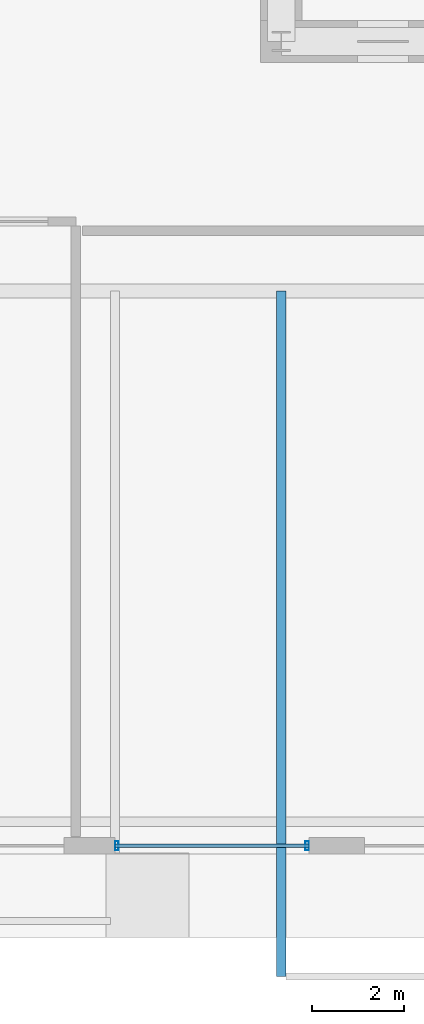
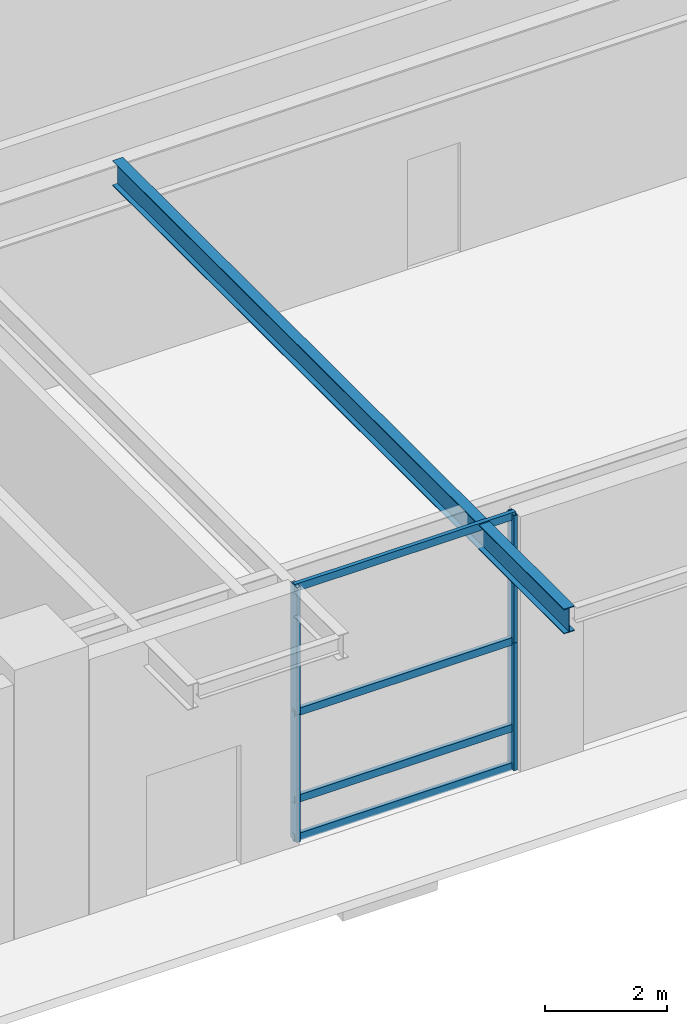
# One storey, part 4 of 32: 8 members, 1 beam, 1 element without a shape of its own.
"""IFC4 building model written with IfcOpenShell, lengths in metres."""

from ifc_helpers import new_model, si_unit, direction, frame, origin, origin_2d, place, context, subcontext, project, spatial, hollow_rectangle, i_section, extrude, source, transform, mapped, material, layer, layer_set, material_profile, profile_set, type_object, element, aggregate, save


model = new_model("IFC4")

# Units and contexts
model_context = context("Model", 3, precision=1e-05, world=origin(), true_north=direction((0.0, 1.0)))
body_context = subcontext(model_context, "Body", "Model", "MODEL_VIEW")
ifc_project = project(units=[si_unit("LENGTHUNIT", "METRE"), si_unit("AREAUNIT", "SQUARE_METRE"), si_unit("VOLUMEUNIT", "CUBIC_METRE"), si_unit("PLANEANGLEUNIT", "RADIAN"), si_unit("MASSUNIT", "GRAM", prefix="KILO"), si_unit("THERMODYNAMICTEMPERATUREUNIT", "KELVIN"), si_unit("POWERUNIT", "WATT")], contexts=[model_context])

# Site, building, storey
site_placement = place(None, origin())
site = spatial("IfcSite", under=ifc_project, at=site_placement, CompositionType="ELEMENT")
building_placement = place(site_placement, origin())
building = spatial("IfcBuilding", under=site, at=building_placement, Name="Yuzanri Waterfront Tower", CompositionType="ELEMENT")
storey_placement = place(building_placement, origin())
storey = spatial("IfcBuildingStorey", under=building, at=storey_placement, Name="L01", CompositionType="ELEMENT", Elevation=0.0)

# Beam
ifc_material_1 = material(Name="Steel Q355B", Category="steel")
ifc_material_profile_1 = material_profile(ifc_material_1, i_section(OverallWidth=0.199951171875, OverallDepth=0.5, WebThickness=0.010009765625, FlangeThickness=0.01611328125, at=origin_2d()), Name="HN 500x200x10x16")
ifc_profile_set_1 = profile_set([ifc_material_profile_1], Name="Steel Q355B")
beam_type = type_object("IfcBeamType", Name="Secondary Floor Beam Q355B HN 500x200", PredefinedType="BEAM", material=ifc_profile_set_1)
shared_shape_1 = source(origin(), body_context, "Body", "SweptSolid", [
    extrude(i_section(OverallWidth=0.199951171875, OverallDepth=0.5, WebThickness=0.010009765625, FlangeThickness=0.01611328125, at=origin_2d()), origin(), (0.0, 0.0, 1.0), 14.85009765625),
])
beam_placement = place(storey_placement, frame((23.800048828125, 14.0, 4.8701171875), z_axis=(0.0, -1.0, 0.0), x_axis=(1.0, 0.0, 0.0)))
element("IfcBeam", 1, at=beam_placement, inside=storey, type_object=beam_type, Name="L01 Canopy S1 Left Outlooker", PredefinedType="BEAM", context=body_context, shape_type="MappedRepresentation", body=[
    mapped(shared_shape_1, transform((0.0, 0.0, 0.0), scale=1.0)),
])

# Curtain wall, members
ifc_material_2 = material(Name="Anodized Architectural Bronze", Category="metal")
ifc_layer = layer(ifc_material_2, 0.159912109375)
ifc_layer_set = layer_set([ifc_layer], Name="Anodized Architectural Bronze")
curtain_wall_type = type_object("IfcCurtainWallType", Name="Anodized Bronze Podium Waterfront Double-Height Unitized Curtain Wall 8400", PredefinedType="NOTDEFINED", material=ifc_layer_set)
curtain_wall_placement = place(storey_placement, origin())
curtain_wall = element("IfcCurtainWall", 2, at=curtain_wall_placement, inside=storey, type_object=curtain_wall_type, Name="L01 Curtain Wall CW-L01-S1", PredefinedType="NOTDEFINED")
ifc_material_3 = material(Name="Anodized Architectural Bronze", Category="metal")
ifc_material_profile_2 = material_profile(ifc_material_3, hollow_rectangle(XDim=0.074951171875, YDim=0.199951171875, WallThickness=0.00390625, at=origin_2d()), Name="CWM 75x200")
ifc_profile_set_2 = profile_set([ifc_material_profile_2], Name="Anodized Architectural Bronze")
member_type_1 = type_object("IfcMemberType", Name="Anodized Bronze Primary Curtain-Wall Mullion 75x200", PredefinedType="MULLION", material=ifc_profile_set_2)
shared_shape_2 = source(origin(), body_context, "Body", "SweptSolid", [
    extrude(hollow_rectangle(XDim=0.074951171875, YDim=0.199951171875, WallThickness=0.00390625, at=origin_2d()), origin(), (0.0, 0.0, 1.0), 2.55810546875),
])
member_1_placement = place(storey_placement, frame((20.239990234375, 1.97998046875, 0.0), z_axis=(0.0, 0.0, 1.0), x_axis=(1.0, 0.0, 0.0)))
member_1 = element("IfcMember", 3, at=member_1_placement, type_object=member_type_1, Name="CW-L01-S1 Lower Mullion 00", PredefinedType="MULLION", context=body_context, shape_type="MappedRepresentation", body=[
    mapped(shared_shape_2, transform((0.0, 0.0, 0.0), scale=1.0)),
])
member_2_placement = place(storey_placement, frame((20.239990234375, 1.97998046875, 2.56201171875), z_axis=(0.0, 0.0, 1.0), x_axis=(1.0, 0.0, 0.0)))
member_2 = element("IfcMember", 4, at=member_2_placement, type_object=member_type_1, Name="CW-L01-S1 Upper Mullion 00", PredefinedType="MULLION", context=body_context, shape_type="MappedRepresentation", body=[
    mapped(shared_shape_2, transform((0.0, 0.0, 0.0), scale=1.0)),
])
member_3_placement = place(storey_placement, frame((24.360107421875, 1.97998046875, 0.0), z_axis=(0.0, 0.0, 1.0), x_axis=(1.0, 0.0, 0.0)))
member_3 = element("IfcMember", 5, at=member_3_placement, type_object=member_type_1, Name="CW-L01-S1 Lower Mullion 01", PredefinedType="MULLION", context=body_context, shape_type="MappedRepresentation", body=[
    mapped(shared_shape_2, transform((0.0, 0.0, 0.0), scale=1.0)),
])
member_4_placement = place(storey_placement, frame((24.360107421875, 1.97998046875, 2.56201171875), z_axis=(0.0, 0.0, 1.0), x_axis=(1.0, 0.0, 0.0)))
member_4 = element("IfcMember", 6, at=member_4_placement, type_object=member_type_1, Name="CW-L01-S1 Upper Mullion 01", PredefinedType="MULLION", context=body_context, shape_type="MappedRepresentation", body=[
    mapped(shared_shape_2, transform((0.0, 0.0, 0.0), scale=1.0)),
])
ifc_material_4 = material(Name="Anodized Architectural Bronze", Category="metal")
ifc_material_profile_3 = material_profile(ifc_material_4, hollow_rectangle(XDim=0.074951171875, YDim=0.14990234375, WallThickness=0.00390625, at=origin_2d()), Name="CWT 75x150")
ifc_profile_set_3 = profile_set([ifc_material_profile_3], Name="Anodized Architectural Bronze")
member_type_2 = type_object("IfcMemberType", Name="Anodized Bronze Primary Curtain-Wall Transom 75x150", PredefinedType="USERDEFINED", material=ifc_profile_set_3)
shared_shape_3 = source(origin(), body_context, "Body", "SweptSolid", [
    extrude(hollow_rectangle(XDim=0.074951171875, YDim=0.14990234375, WallThickness=0.00390625, at=origin_2d()), origin(), (0.0, 0.0, 1.0), 4.199951171875),
])
member_5_placement = place(storey_placement, frame((20.199951171875, 1.97998046875, 0.050048828125), z_axis=(1.0, 0.0, 0.0), x_axis=(0.0, 1.0, 0.0)))
member_5 = element("IfcMember", 7, at=member_5_placement, type_object=member_type_2, Name="CW-L01-S1 Transom 1", ObjectType="TRANSOM", PredefinedType="USERDEFINED", context=body_context, shape_type="MappedRepresentation", body=[
    mapped(shared_shape_3, transform((0.0, 0.0, 0.0), scale=1.0)),
])
member_6_placement = place(storey_placement, frame((20.199951171875, 1.97998046875, 0.820068359375), z_axis=(1.0, 0.0, 0.0), x_axis=(0.0, 1.0, 0.0)))
member_6 = element("IfcMember", 8, at=member_6_placement, type_object=member_type_2, Name="CW-L01-S1 Transom 2", ObjectType="TRANSOM", PredefinedType="USERDEFINED", context=body_context, shape_type="MappedRepresentation", body=[
    mapped(shared_shape_3, transform((0.0, 0.0, 0.0), scale=1.0)),
])
member_7_placement = place(storey_placement, frame((20.199951171875, 1.97998046875, 2.56005859375), z_axis=(1.0, 0.0, 0.0), x_axis=(0.0, 1.0, 0.0)))
member_7 = element("IfcMember", 9, at=member_7_placement, type_object=member_type_2, Name="CW-L01-S1 Transom 3", ObjectType="TRANSOM", PredefinedType="USERDEFINED", context=body_context, shape_type="MappedRepresentation", body=[
    mapped(shared_shape_3, transform((0.0, 0.0, 0.0), scale=1.0)),
])
member_8_placement = place(storey_placement, frame((20.199951171875, 1.97998046875, 5.070068359375), z_axis=(1.0, 0.0, 0.0), x_axis=(0.0, 1.0, 0.0)))
member_8 = element("IfcMember", 10, at=member_8_placement, type_object=member_type_2, Name="CW-L01-S1 Transom 4", ObjectType="TRANSOM", PredefinedType="USERDEFINED", context=body_context, shape_type="MappedRepresentation", body=[
    mapped(shared_shape_3, transform((0.0, 0.0, 0.0), scale=1.0)),
])
aggregate(curtain_wall, [member_1, member_2, member_3, member_4, member_5, member_6, member_7, member_8])

save(model, "model.ifc")
